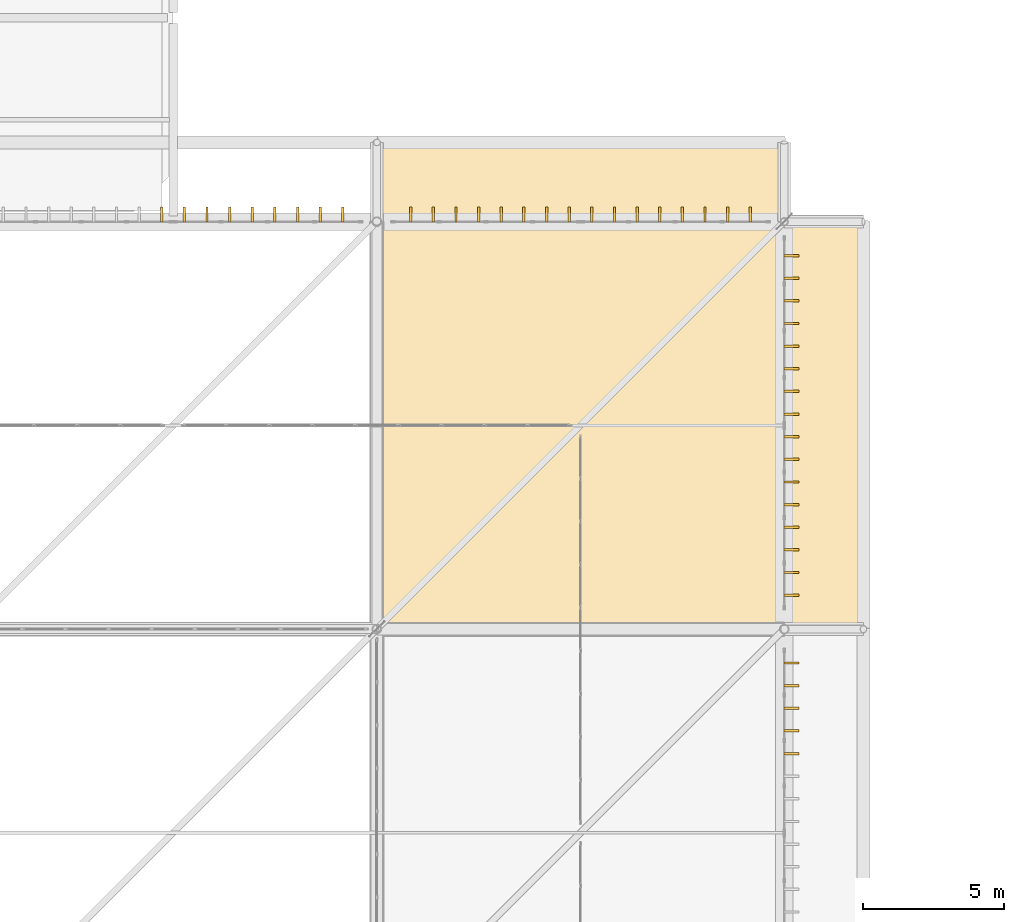
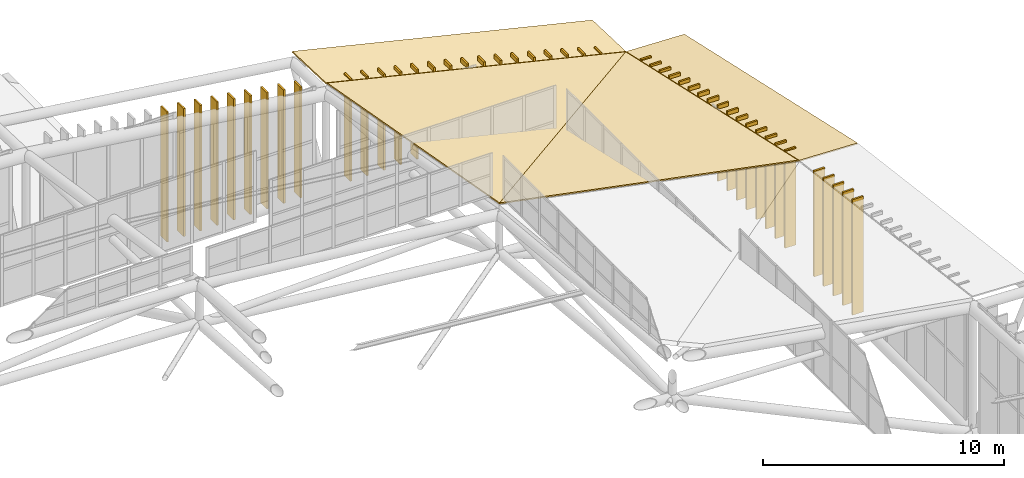
# One storey, part 397 of 397: 50 coverings.
"""IFC4 building model written with IfcOpenShell, lengths in metres."""

from ifc_helpers import new_model, si_unit, direction, frame, origin, origin_2d, place, context, subcontext, project, spatial, polyline, rectangle, outline, extrude, material, layer, layer_set, type_object, element, save


model = new_model("IFC4")

# Units and contexts
model_context = context("Model", 3, precision=1e-05, world=origin(), true_north=direction((0.0, 1.0)))
body_context = subcontext(model_context, "Body", "Model", "MODEL_VIEW")
ifc_project = project(units=[si_unit("LENGTHUNIT", "METRE"), si_unit("AREAUNIT", "SQUARE_METRE"), si_unit("VOLUMEUNIT", "CUBIC_METRE"), si_unit("PLANEANGLEUNIT", "RADIAN"), si_unit("MASSUNIT", "GRAM", prefix="KILO")], contexts=[model_context])

# Site, building, storey
site_placement = place(None, origin())
site = spatial("IfcSite", under=ifc_project, at=site_placement, CompositionType="ELEMENT")
building_placement = place(site_placement, origin())
building = spatial("IfcBuilding", under=site, at=building_placement, Name="Qandorah Velis Arena", CompositionType="ELEMENT")
storey_placement = place(building_placement, frame((0.0, 0.0, 27.5)))
storey = spatial("IfcBuildingStorey", under=building, at=storey_placement, Name="RF", CompositionType="ELEMENT", Elevation=27.5)

# Coverings
ifc_material_1 = material(Name="Champagne-bronze anodized aluminium 6063-T6", Category="aluminium")
ifc_layer_1 = layer(ifc_material_1, 0.0849609375)
ifc_layer_set_1 = layer_set([ifc_layer_1], Name="Champagne-bronze anodized aluminium 6063-T6")
covering_type_1 = type_object("IfcCoveringType", Name="ARC-COV-FIN520", PredefinedType="CLADDING", material=ifc_layer_set_1)
covering_1_placement = place(storey_placement, frame((115.455078125, 96.39990234375, -0.010009765625), z_axis=(0.0, 0.0, 1.0), x_axis=(1.0, 0.0, 0.0)))
element("IfcCovering", 1, at=covering_1_placement, inside=storey, type_object=covering_type_1, Name="Arched crown champagne-bronze solar fin 2.7.12", PredefinedType="CLADDING", context=body_context, shape_type="SweptSolid", body=[
    extrude(rectangle(XDim=0.52001953125, YDim=0.0849609375, at=origin_2d()), origin(), (0.0, 0.0, 1.0), 5.85693359375),
])
covering_2_placement = place(storey_placement, frame((115.455078125, 97.199951171875, -0.010009765625), z_axis=(0.0, 0.0, 1.0), x_axis=(1.0, 0.0, 0.0)))
element("IfcCovering", 2, at=covering_2_placement, inside=storey, type_object=covering_type_1, Name="Arched crown champagne-bronze solar fin 2.7.13", PredefinedType="CLADDING", context=body_context, shape_type="SweptSolid", body=[
    extrude(rectangle(XDim=0.52001953125, YDim=0.0849609375, at=origin_2d()), origin(), (0.0, 0.0, 1.0), 5.74072265625),
])
covering_3_placement = place(storey_placement, frame((115.455078125, 98.0, -0.010009765625), z_axis=(0.0, 0.0, 1.0), x_axis=(1.0, 0.0, 0.0)))
element("IfcCovering", 3, at=covering_3_placement, inside=storey, type_object=covering_type_1, Name="Arched crown champagne-bronze solar fin 2.7.14", PredefinedType="CLADDING", context=body_context, shape_type="SweptSolid", body=[
    extrude(rectangle(XDim=0.52001953125, YDim=0.0849609375, at=origin_2d()), origin(), (0.0, 0.0, 1.0), 5.62060546875),
])
covering_4_placement = place(storey_placement, frame((115.455078125, 98.800048828125, -0.009765625), z_axis=(0.0, 0.0, 1.0), x_axis=(1.0, 0.0, 0.0)))
element("IfcCovering", 4, at=covering_4_placement, inside=storey, type_object=covering_type_1, Name="Arched crown champagne-bronze solar fin 2.7.15", PredefinedType="CLADDING", context=body_context, shape_type="SweptSolid", body=[
    extrude(rectangle(XDim=0.52001953125, YDim=0.0849609375, at=origin_2d()), origin(), (0.0, 0.0, 1.0), 5.496337890625),
])
covering_5_placement = place(storey_placement, frame((115.455078125, 99.60009765625, -0.010009765625), z_axis=(0.0, 0.0, 1.0), x_axis=(1.0, 0.0, 0.0)))
element("IfcCovering", 5, at=covering_5_placement, inside=storey, type_object=covering_type_1, Name="Arched crown champagne-bronze solar fin 2.7.16", PredefinedType="CLADDING", context=body_context, shape_type="SweptSolid", body=[
    extrude(rectangle(XDim=0.52001953125, YDim=0.0849609375, at=origin_2d()), origin(), (0.0, 0.0, 1.0), 5.3681640625),
])
covering_6_placement = place(storey_placement, frame((115.455078125, 102.0, -0.010009765625), z_axis=(0.0, 0.0, 1.0), x_axis=(1.0, 0.0, 0.0)))
element("IfcCovering", 6, at=covering_6_placement, inside=storey, type_object=covering_type_1, Name="Arched crown champagne-bronze solar fin 2.8.1", PredefinedType="CLADDING", context=body_context, shape_type="SweptSolid", body=[
    extrude(rectangle(XDim=0.52001953125, YDim=0.0849609375, at=origin_2d()), origin(), (0.0, 0.0, 1.0), 4.958984375),
])
covering_7_placement = place(storey_placement, frame((115.455078125, 102.800048828125, -0.010009765625), z_axis=(0.0, 0.0, 1.0), x_axis=(1.0, 0.0, 0.0)))
element("IfcCovering", 7, at=covering_7_placement, inside=storey, type_object=covering_type_1, Name="Arched crown champagne-bronze solar fin 2.8.2", PredefinedType="CLADDING", context=body_context, shape_type="SweptSolid", body=[
    extrude(rectangle(XDim=0.52001953125, YDim=0.0849609375, at=origin_2d()), origin(), (0.0, 0.0, 1.0), 4.81396484375),
])
covering_8_placement = place(storey_placement, frame((115.455078125, 103.60009765625, -0.010009765625), z_axis=(0.0, 0.0, 1.0), x_axis=(1.0, 0.0, 0.0)))
element("IfcCovering", 8, at=covering_8_placement, inside=storey, type_object=covering_type_1, Name="Arched crown champagne-bronze solar fin 2.8.3", PredefinedType="CLADDING", context=body_context, shape_type="SweptSolid", body=[
    extrude(rectangle(XDim=0.52001953125, YDim=0.0849609375, at=origin_2d()), origin(), (0.0, 0.0, 1.0), 4.66455078125),
])
covering_9_placement = place(storey_placement, frame((115.455078125, 104.39990234375, -0.010009765625), z_axis=(0.0, 0.0, 1.0), x_axis=(1.0, 0.0, 0.0)))
element("IfcCovering", 9, at=covering_9_placement, inside=storey, type_object=covering_type_1, Name="Arched crown champagne-bronze solar fin 2.8.4", PredefinedType="CLADDING", context=body_context, shape_type="SweptSolid", body=[
    extrude(rectangle(XDim=0.52001953125, YDim=0.0849609375, at=origin_2d()), origin(), (0.0, 0.0, 1.0), 4.5107421875),
])
covering_10_placement = place(storey_placement, frame((115.455078125, 105.199951171875, -0.010009765625), z_axis=(0.0, 0.0, 1.0), x_axis=(1.0, 0.0, 0.0)))
element("IfcCovering", 10, at=covering_10_placement, inside=storey, type_object=covering_type_1, Name="Arched crown champagne-bronze solar fin 2.8.5", PredefinedType="CLADDING", context=body_context, shape_type="SweptSolid", body=[
    extrude(rectangle(XDim=0.52001953125, YDim=0.0849609375, at=origin_2d()), origin(), (0.0, 0.0, 1.0), 4.3525390625),
])
covering_11_placement = place(storey_placement, frame((115.455078125, 106.0, -0.01025390625), z_axis=(0.0, 0.0, 1.0), x_axis=(1.0, 0.0, 0.0)))
element("IfcCovering", 11, at=covering_11_placement, inside=storey, type_object=covering_type_1, Name="Arched crown champagne-bronze solar fin 2.8.6", PredefinedType="CLADDING", context=body_context, shape_type="SweptSolid", body=[
    extrude(rectangle(XDim=0.52001953125, YDim=0.0849609375, at=origin_2d()), origin(), (0.0, 0.0, 1.0), 4.189697265625),
])
covering_12_placement = place(storey_placement, frame((115.455078125, 106.800048828125, -0.010009765625), z_axis=(0.0, 0.0, 1.0), x_axis=(1.0, 0.0, 0.0)))
element("IfcCovering", 12, at=covering_12_placement, inside=storey, type_object=covering_type_1, Name="Arched crown champagne-bronze solar fin 2.8.7", PredefinedType="CLADDING", context=body_context, shape_type="SweptSolid", body=[
    extrude(rectangle(XDim=0.52001953125, YDim=0.0849609375, at=origin_2d()), origin(), (0.0, 0.0, 1.0), 4.02197265625),
])
covering_13_placement = place(storey_placement, frame((115.455078125, 107.60009765625, -0.010009765625), z_axis=(0.0, 0.0, 1.0), x_axis=(1.0, 0.0, 0.0)))
element("IfcCovering", 13, at=covering_13_placement, inside=storey, type_object=covering_type_1, Name="Arched crown champagne-bronze solar fin 2.8.8", PredefinedType="CLADDING", context=body_context, shape_type="SweptSolid", body=[
    extrude(rectangle(XDim=0.52001953125, YDim=0.0849609375, at=origin_2d()), origin(), (0.0, 0.0, 1.0), 3.849609375),
])
covering_14_placement = place(storey_placement, frame((115.455078125, 108.39990234375, -0.01025390625), z_axis=(0.0, 0.0, 1.0), x_axis=(1.0, 0.0, 0.0)))
element("IfcCovering", 14, at=covering_14_placement, inside=storey, type_object=covering_type_1, Name="Arched crown champagne-bronze solar fin 2.8.9", PredefinedType="CLADDING", context=body_context, shape_type="SweptSolid", body=[
    extrude(rectangle(XDim=0.52001953125, YDim=0.0849609375, at=origin_2d()), origin(), (0.0, 0.0, 1.0), 3.672607421875),
])
covering_15_placement = place(storey_placement, frame((115.455078125, 109.199951171875, -0.01025390625), z_axis=(0.0, 0.0, 1.0), x_axis=(1.0, 0.0, 0.0)))
element("IfcCovering", 15, at=covering_15_placement, inside=storey, type_object=covering_type_1, Name="Arched crown champagne-bronze solar fin 2.8.10", PredefinedType="CLADDING", context=body_context, shape_type="SweptSolid", body=[
    extrude(rectangle(XDim=0.52001953125, YDim=0.0849609375, at=origin_2d()), origin(), (0.0, 0.0, 1.0), 3.490478515625),
])
covering_16_placement = place(storey_placement, frame((115.455078125, 110.0, -0.010009765625), z_axis=(0.0, 0.0, 1.0), x_axis=(1.0, 0.0, 0.0)))
element("IfcCovering", 16, at=covering_16_placement, inside=storey, type_object=covering_type_1, Name="Arched crown champagne-bronze solar fin 2.8.11", PredefinedType="CLADDING", context=body_context, shape_type="SweptSolid", body=[
    extrude(rectangle(XDim=0.52001953125, YDim=0.0849609375, at=origin_2d()), origin(), (0.0, 0.0, 1.0), 3.30322265625),
])
covering_17_placement = place(storey_placement, frame((115.455078125, 110.800048828125, -0.01025390625), z_axis=(0.0, 0.0, 1.0), x_axis=(1.0, 0.0, 0.0)))
element("IfcCovering", 17, at=covering_17_placement, inside=storey, type_object=covering_type_1, Name="Arched crown champagne-bronze solar fin 2.8.12", PredefinedType="CLADDING", context=body_context, shape_type="SweptSolid", body=[
    extrude(rectangle(XDim=0.52001953125, YDim=0.0849609375, at=origin_2d()), origin(), (0.0, 0.0, 1.0), 3.111083984375),
])
covering_18_placement = place(storey_placement, frame((115.455078125, 111.60009765625, -0.009765625), z_axis=(0.0, 0.0, 1.0), x_axis=(1.0, 0.0, 0.0)))
element("IfcCovering", 18, at=covering_18_placement, inside=storey, type_object=covering_type_1, Name="Arched crown champagne-bronze solar fin 2.8.13", PredefinedType="CLADDING", context=body_context, shape_type="SweptSolid", body=[
    extrude(rectangle(XDim=0.52001953125, YDim=0.0849609375, at=origin_2d()), origin(), (0.0, 0.0, 1.0), 2.913818359375),
])
covering_19_placement = place(storey_placement, frame((115.455078125, 112.39990234375, -0.009765625), z_axis=(0.0, 0.0, 1.0), x_axis=(1.0, 0.0, 0.0)))
element("IfcCovering", 19, at=covering_19_placement, inside=storey, type_object=covering_type_1, Name="Arched crown champagne-bronze solar fin 2.8.14", PredefinedType="CLADDING", context=body_context, shape_type="SweptSolid", body=[
    extrude(rectangle(XDim=0.52001953125, YDim=0.0849609375, at=origin_2d()), origin(), (0.0, 0.0, 1.0), 2.711181640625),
])
covering_20_placement = place(storey_placement, frame((115.455078125, 113.199951171875, -0.010009765625), z_axis=(0.0, 0.0, 1.0), x_axis=(1.0, 0.0, 0.0)))
element("IfcCovering", 20, at=covering_20_placement, inside=storey, type_object=covering_type_1, Name="Arched crown champagne-bronze solar fin 2.8.15", PredefinedType="CLADDING", context=body_context, shape_type="SweptSolid", body=[
    extrude(rectangle(XDim=0.52001953125, YDim=0.0849609375, at=origin_2d()), origin(), (0.0, 0.0, 1.0), 2.50341796875),
])
covering_21_placement = place(storey_placement, frame((115.455078125, 114.0, -0.01025390625), z_axis=(0.0, 0.0, 1.0), x_axis=(1.0, 0.0, 0.0)))
element("IfcCovering", 21, at=covering_21_placement, inside=storey, type_object=covering_type_1, Name="Arched crown champagne-bronze solar fin 2.8.16", PredefinedType="CLADDING", context=body_context, shape_type="SweptSolid", body=[
    extrude(rectangle(XDim=0.52001953125, YDim=0.0849609375, at=origin_2d()), origin(), (0.0, 0.0, 1.0), 2.290283203125),
])
covering_22_placement = place(storey_placement, frame((93.199951171875, 115.455078125, -0.009765625), z_axis=(0.0, 0.0, 1.0), x_axis=(1.0, 0.0, 0.0)))
element("IfcCovering", 22, at=covering_22_placement, inside=storey, type_object=covering_type_1, Name="Arched crown champagne-bronze solar fin 4.6.8", PredefinedType="CLADDING", context=body_context, shape_type="SweptSolid", body=[
    extrude(rectangle(XDim=0.0849609375, YDim=0.52001953125, at=origin_2d()), origin(), (0.0, 0.0, 1.0), 6.597412109375),
])
covering_23_placement = place(storey_placement, frame((94.0, 115.455078125, -0.010009765625), z_axis=(0.0, 0.0, 1.0), x_axis=(1.0, 0.0, 0.0)))
element("IfcCovering", 23, at=covering_23_placement, inside=storey, type_object=covering_type_1, Name="Arched crown champagne-bronze solar fin 4.6.9", PredefinedType="CLADDING", context=body_context, shape_type="SweptSolid", body=[
    extrude(rectangle(XDim=0.0849609375, YDim=0.52001953125, at=origin_2d()), origin(), (0.0, 0.0, 1.0), 6.490234375),
])
covering_24_placement = place(storey_placement, frame((94.800048828125, 115.455078125, -0.01025390625), z_axis=(0.0, 0.0, 1.0), x_axis=(1.0, 0.0, 0.0)))
element("IfcCovering", 24, at=covering_24_placement, inside=storey, type_object=covering_type_1, Name="Arched crown champagne-bronze solar fin 4.6.10", PredefinedType="CLADDING", context=body_context, shape_type="SweptSolid", body=[
    extrude(rectangle(XDim=0.0849609375, YDim=0.52001953125, at=origin_2d()), origin(), (0.0, 0.0, 1.0), 6.379150390625),
])
covering_25_placement = place(storey_placement, frame((95.60009765625, 115.455078125, -0.01025390625), z_axis=(0.0, 0.0, 1.0), x_axis=(1.0, 0.0, 0.0)))
element("IfcCovering", 25, at=covering_25_placement, inside=storey, type_object=covering_type_1, Name="Arched crown champagne-bronze solar fin 4.6.11", PredefinedType="CLADDING", context=body_context, shape_type="SweptSolid", body=[
    extrude(rectangle(XDim=0.0849609375, YDim=0.52001953125, at=origin_2d()), origin(), (0.0, 0.0, 1.0), 6.263916015625),
])
covering_26_placement = place(storey_placement, frame((96.39990234375, 115.455078125, -0.01025390625), z_axis=(0.0, 0.0, 1.0), x_axis=(1.0, 0.0, 0.0)))
element("IfcCovering", 26, at=covering_26_placement, inside=storey, type_object=covering_type_1, Name="Arched crown champagne-bronze solar fin 4.6.12", PredefinedType="CLADDING", context=body_context, shape_type="SweptSolid", body=[
    extrude(rectangle(XDim=0.0849609375, YDim=0.52001953125, at=origin_2d()), origin(), (0.0, 0.0, 1.0), 6.144775390625),
])
covering_27_placement = place(storey_placement, frame((97.199951171875, 115.455078125, -0.01025390625), z_axis=(0.0, 0.0, 1.0), x_axis=(1.0, 0.0, 0.0)))
element("IfcCovering", 27, at=covering_27_placement, inside=storey, type_object=covering_type_1, Name="Arched crown champagne-bronze solar fin 4.6.13", PredefinedType="CLADDING", context=body_context, shape_type="SweptSolid", body=[
    extrude(rectangle(XDim=0.0849609375, YDim=0.52001953125, at=origin_2d()), origin(), (0.0, 0.0, 1.0), 6.021240234375),
])
covering_28_placement = place(storey_placement, frame((98.0, 115.455078125, -0.010009765625), z_axis=(0.0, 0.0, 1.0), x_axis=(1.0, 0.0, 0.0)))
element("IfcCovering", 28, at=covering_28_placement, inside=storey, type_object=covering_type_1, Name="Arched crown champagne-bronze solar fin 4.6.14", PredefinedType="CLADDING", context=body_context, shape_type="SweptSolid", body=[
    extrude(rectangle(XDim=0.0849609375, YDim=0.52001953125, at=origin_2d()), origin(), (0.0, 0.0, 1.0), 5.8935546875),
])
covering_29_placement = place(storey_placement, frame((98.800048828125, 115.455078125, -0.01025390625), z_axis=(0.0, 0.0, 1.0), x_axis=(1.0, 0.0, 0.0)))
element("IfcCovering", 29, at=covering_29_placement, inside=storey, type_object=covering_type_1, Name="Arched crown champagne-bronze solar fin 4.6.15", PredefinedType="CLADDING", context=body_context, shape_type="SweptSolid", body=[
    extrude(rectangle(XDim=0.0849609375, YDim=0.52001953125, at=origin_2d()), origin(), (0.0, 0.0, 1.0), 5.761474609375),
])
covering_30_placement = place(storey_placement, frame((99.60009765625, 115.455078125, -0.010009765625), z_axis=(0.0, 0.0, 1.0), x_axis=(1.0, 0.0, 0.0)))
element("IfcCovering", 30, at=covering_30_placement, inside=storey, type_object=covering_type_1, Name="Arched crown champagne-bronze solar fin 4.6.16", PredefinedType="CLADDING", context=body_context, shape_type="SweptSolid", body=[
    extrude(rectangle(XDim=0.0849609375, YDim=0.52001953125, at=origin_2d()), origin(), (0.0, 0.0, 1.0), 5.625),
])
covering_31_placement = place(storey_placement, frame((102.0, 115.455078125, -0.010009765625), z_axis=(0.0, 0.0, 1.0), x_axis=(1.0, 0.0, 0.0)))
element("IfcCovering", 31, at=covering_31_placement, inside=storey, type_object=covering_type_1, Name="Arched crown champagne-bronze solar fin 4.7.1", PredefinedType="CLADDING", context=body_context, shape_type="SweptSolid", body=[
    extrude(rectangle(XDim=0.0849609375, YDim=0.52001953125, at=origin_2d()), origin(), (0.0, 0.0, 1.0), 5.1884765625),
])
covering_32_placement = place(storey_placement, frame((102.800048828125, 115.455078125, -0.01025390625), z_axis=(0.0, 0.0, 1.0), x_axis=(1.0, 0.0, 0.0)))
element("IfcCovering", 32, at=covering_32_placement, inside=storey, type_object=covering_type_1, Name="Arched crown champagne-bronze solar fin 4.7.2", PredefinedType="CLADDING", context=body_context, shape_type="SweptSolid", body=[
    extrude(rectangle(XDim=0.0849609375, YDim=0.52001953125, at=origin_2d()), origin(), (0.0, 0.0, 1.0), 5.033447265625),
])
covering_33_placement = place(storey_placement, frame((103.60009765625, 115.455078125, -0.009765625), z_axis=(0.0, 0.0, 1.0), x_axis=(1.0, 0.0, 0.0)))
element("IfcCovering", 33, at=covering_33_placement, inside=storey, type_object=covering_type_1, Name="Arched crown champagne-bronze solar fin 4.7.3", PredefinedType="CLADDING", context=body_context, shape_type="SweptSolid", body=[
    extrude(rectangle(XDim=0.0849609375, YDim=0.52001953125, at=origin_2d()), origin(), (0.0, 0.0, 1.0), 4.873779296875),
])
covering_34_placement = place(storey_placement, frame((104.39990234375, 115.455078125, -0.010009765625), z_axis=(0.0, 0.0, 1.0), x_axis=(1.0, 0.0, 0.0)))
element("IfcCovering", 34, at=covering_34_placement, inside=storey, type_object=covering_type_1, Name="Arched crown champagne-bronze solar fin 4.7.4", PredefinedType="CLADDING", context=body_context, shape_type="SweptSolid", body=[
    extrude(rectangle(XDim=0.0849609375, YDim=0.52001953125, at=origin_2d()), origin(), (0.0, 0.0, 1.0), 4.708984375),
])
covering_35_placement = place(storey_placement, frame((105.199951171875, 115.455078125, -0.010009765625), z_axis=(0.0, 0.0, 1.0), x_axis=(1.0, 0.0, 0.0)))
element("IfcCovering", 35, at=covering_35_placement, inside=storey, type_object=covering_type_1, Name="Arched crown champagne-bronze solar fin 4.7.5", PredefinedType="CLADDING", context=body_context, shape_type="SweptSolid", body=[
    extrude(rectangle(XDim=0.0849609375, YDim=0.52001953125, at=origin_2d()), origin(), (0.0, 0.0, 1.0), 4.53955078125),
])
covering_36_placement = place(storey_placement, frame((106.0, 115.455078125, -0.010009765625), z_axis=(0.0, 0.0, 1.0), x_axis=(1.0, 0.0, 0.0)))
element("IfcCovering", 36, at=covering_36_placement, inside=storey, type_object=covering_type_1, Name="Arched crown champagne-bronze solar fin 4.7.6", PredefinedType="CLADDING", context=body_context, shape_type="SweptSolid", body=[
    extrude(rectangle(XDim=0.0849609375, YDim=0.52001953125, at=origin_2d()), origin(), (0.0, 0.0, 1.0), 4.36474609375),
])
covering_37_placement = place(storey_placement, frame((106.800048828125, 115.455078125, -0.009765625), z_axis=(0.0, 0.0, 1.0), x_axis=(1.0, 0.0, 0.0)))
element("IfcCovering", 37, at=covering_37_placement, inside=storey, type_object=covering_type_1, Name="Arched crown champagne-bronze solar fin 4.7.7", PredefinedType="CLADDING", context=body_context, shape_type="SweptSolid", body=[
    extrude(rectangle(XDim=0.0849609375, YDim=0.52001953125, at=origin_2d()), origin(), (0.0, 0.0, 1.0), 4.184814453125),
])
covering_38_placement = place(storey_placement, frame((107.60009765625, 115.455078125, -0.01025390625), z_axis=(0.0, 0.0, 1.0), x_axis=(1.0, 0.0, 0.0)))
element("IfcCovering", 38, at=covering_38_placement, inside=storey, type_object=covering_type_1, Name="Arched crown champagne-bronze solar fin 4.7.8", PredefinedType="CLADDING", context=body_context, shape_type="SweptSolid", body=[
    extrude(rectangle(XDim=0.0849609375, YDim=0.52001953125, at=origin_2d()), origin(), (0.0, 0.0, 1.0), 3.999755859375),
])
covering_39_placement = place(storey_placement, frame((108.39990234375, 115.455078125, -0.010009765625), z_axis=(0.0, 0.0, 1.0), x_axis=(1.0, 0.0, 0.0)))
element("IfcCovering", 39, at=covering_39_placement, inside=storey, type_object=covering_type_1, Name="Arched crown champagne-bronze solar fin 4.7.9", PredefinedType="CLADDING", context=body_context, shape_type="SweptSolid", body=[
    extrude(rectangle(XDim=0.0849609375, YDim=0.52001953125, at=origin_2d()), origin(), (0.0, 0.0, 1.0), 3.80908203125),
])
covering_40_placement = place(storey_placement, frame((109.199951171875, 115.455078125, -0.010009765625), z_axis=(0.0, 0.0, 1.0), x_axis=(1.0, 0.0, 0.0)))
element("IfcCovering", 40, at=covering_40_placement, inside=storey, type_object=covering_type_1, Name="Arched crown champagne-bronze solar fin 4.7.10", PredefinedType="CLADDING", context=body_context, shape_type="SweptSolid", body=[
    extrude(rectangle(XDim=0.0849609375, YDim=0.52001953125, at=origin_2d()), origin(), (0.0, 0.0, 1.0), 3.61328125),
])
covering_41_placement = place(storey_placement, frame((110.0, 115.455078125, -0.010009765625), z_axis=(0.0, 0.0, 1.0), x_axis=(1.0, 0.0, 0.0)))
element("IfcCovering", 41, at=covering_41_placement, inside=storey, type_object=covering_type_1, Name="Arched crown champagne-bronze solar fin 4.7.11", PredefinedType="CLADDING", context=body_context, shape_type="SweptSolid", body=[
    extrude(rectangle(XDim=0.0849609375, YDim=0.52001953125, at=origin_2d()), origin(), (0.0, 0.0, 1.0), 3.41162109375),
])
covering_42_placement = place(storey_placement, frame((110.800048828125, 115.455078125, -0.010009765625), z_axis=(0.0, 0.0, 1.0), x_axis=(1.0, 0.0, 0.0)))
element("IfcCovering", 42, at=covering_42_placement, inside=storey, type_object=covering_type_1, Name="Arched crown champagne-bronze solar fin 4.7.12", PredefinedType="CLADDING", context=body_context, shape_type="SweptSolid", body=[
    extrude(rectangle(XDim=0.0849609375, YDim=0.52001953125, at=origin_2d()), origin(), (0.0, 0.0, 1.0), 3.20458984375),
])
covering_43_placement = place(storey_placement, frame((111.60009765625, 115.455078125, -0.010009765625), z_axis=(0.0, 0.0, 1.0), x_axis=(1.0, 0.0, 0.0)))
element("IfcCovering", 43, at=covering_43_placement, inside=storey, type_object=covering_type_1, Name="Arched crown champagne-bronze solar fin 4.7.13", PredefinedType="CLADDING", context=body_context, shape_type="SweptSolid", body=[
    extrude(rectangle(XDim=0.0849609375, YDim=0.52001953125, at=origin_2d()), origin(), (0.0, 0.0, 1.0), 2.99169921875),
])
covering_44_placement = place(storey_placement, frame((112.39990234375, 115.455078125, -0.009765625), z_axis=(0.0, 0.0, 1.0), x_axis=(1.0, 0.0, 0.0)))
element("IfcCovering", 44, at=covering_44_placement, inside=storey, type_object=covering_type_1, Name="Arched crown champagne-bronze solar fin 4.7.14", PredefinedType="CLADDING", context=body_context, shape_type="SweptSolid", body=[
    extrude(rectangle(XDim=0.0849609375, YDim=0.52001953125, at=origin_2d()), origin(), (0.0, 0.0, 1.0), 2.772705078125),
])
covering_45_placement = place(storey_placement, frame((113.199951171875, 115.455078125, -0.009765625), z_axis=(0.0, 0.0, 1.0), x_axis=(1.0, 0.0, 0.0)))
element("IfcCovering", 45, at=covering_45_placement, inside=storey, type_object=covering_type_1, Name="Arched crown champagne-bronze solar fin 4.7.15", PredefinedType="CLADDING", context=body_context, shape_type="SweptSolid", body=[
    extrude(rectangle(XDim=0.0849609375, YDim=0.52001953125, at=origin_2d()), origin(), (0.0, 0.0, 1.0), 2.548095703125),
])
covering_46_placement = place(storey_placement, frame((114.0, 115.455078125, -0.010009765625), z_axis=(0.0, 0.0, 1.0), x_axis=(1.0, 0.0, 0.0)))
element("IfcCovering", 46, at=covering_46_placement, inside=storey, type_object=covering_type_1, Name="Arched crown champagne-bronze solar fin 4.7.16", PredefinedType="CLADDING", context=body_context, shape_type="SweptSolid", body=[
    extrude(rectangle(XDim=0.0849609375, YDim=0.52001953125, at=origin_2d()), origin(), (0.0, 0.0, 1.0), 2.3173828125),
])
ifc_material_2 = material(Name="Insulated high-albedo standing-seam aluminium roofing", Category="aluminium")
ifc_layer_2 = layer(ifc_material_2, 0.080078125)
ifc_layer_set_2 = layer_set([ifc_layer_2], Name="Insulated high-albedo standing-seam aluminium roofing")
covering_type_2 = type_object("IfcCoveringType", Name="ARC-COV-ROOF", PredefinedType="ROOFING", material=ifc_layer_set_2)
covering_47_placement = place(storey_placement, frame((100.800048828125, 115.199951171875, 5.40185546875), z_axis=(0.232972867596, 0.034658032203, 0.971865455589), x_axis=(0.972449674239, 0.0, -0.233112914856)))
element("IfcCovering", 47, at=covering_47_placement, inside=storey, type_object=covering_type_2, Name="Overhanging arena eave roof panel N-7", PredefinedType="ROOFING", context=body_context, shape_type="SweptSolid", body=[
    extrude(outline(polyline([(0.0, 0.0), (14.807863815700118, 0.0), (14.831140959786126, 2.801732024842857), (0.02327714408600642, 2.801732024842857), (0.0, 0.0)])), origin(), (0.0, 0.0, -1.0), 0.06005859375),
])
covering_48_placement = place(storey_placement, frame((115.199951171875, 100.800048828125, 5.158203125), z_axis=(0.034786838757, 0.217333227432, 0.975477392923), x_axis=(0.999364739976, 0.0, -0.035638693753)))
element("IfcCovering", 48, at=covering_48_placement, inside=storey, type_object=covering_type_2, Name="Overhanging arena eave roof panel E-7", PredefinedType="ROOFING", context=body_context, shape_type="SweptSolid", body=[
    extrude(outline(polyline([(0.0, 0.0), (2.8018287179031587, 0.0), (2.91616662674223, 14.752525036307155), (0.1143379088390715, 14.752525036307153), (0.0, 0.0)])), origin(), (0.0, 0.0, -1.0), 0.06005859375),
])
covering_49_placement = place(storey_placement, frame((100.840087890625, 100.840087890625, 8.00439453125), z_axis=(0.190220346865, 0.213370929319, 0.958274003696), x_axis=(0.980862018255, 0.0, -0.194704137459)))
element("IfcCovering", 49, at=covering_49_placement, inside=storey, type_object=covering_type_2, Name="Arena vaulted roof covering 6.6A", PredefinedType="ROOFING", context=body_context, shape_type="SweptSolid", body=[
    extrude(outline(polyline([(0.0, 0.0), (14.599223899217785, -1.1102230246251565e-16), (15.22003347812911, 14.657364835202909), (0.0, 0.0)])), origin(), (0.0, 0.0, -1.0), 0.054931640625),
])
covering_50_placement = place(storey_placement, frame((100.840087890625, 100.840087890625, 8.00439453125), z_axis=(0.22943166973, 0.173902413485, 0.957663333071), x_axis=(0.677692854614, 0.677692854614, -0.285420373504)))
element("IfcCovering", 50, at=covering_50_placement, inside=storey, type_object=covering_type_2, Name="Arena vaulted roof covering 6.6B", PredefinedType="ROOFING", context=body_context, shape_type="SweptSolid", body=[
    extrude(outline(polyline([(0.0, 0.0), (21.130257049728804, 1.0269562977782698e-15), (10.446633079272598, 10.133459449937208), (0.0, 0.0)])), origin(), (0.0, 0.0, -1.0), 0.054931640625),
])

save(model, "model.ifc")
